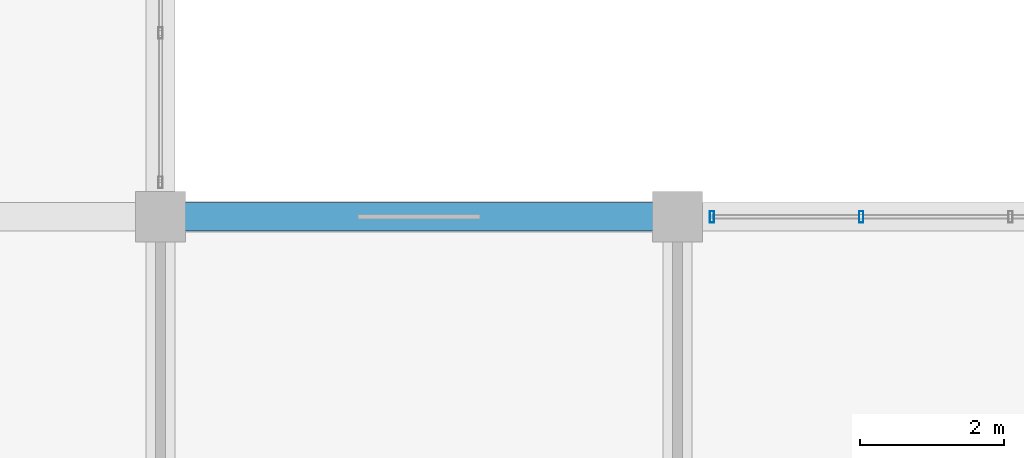
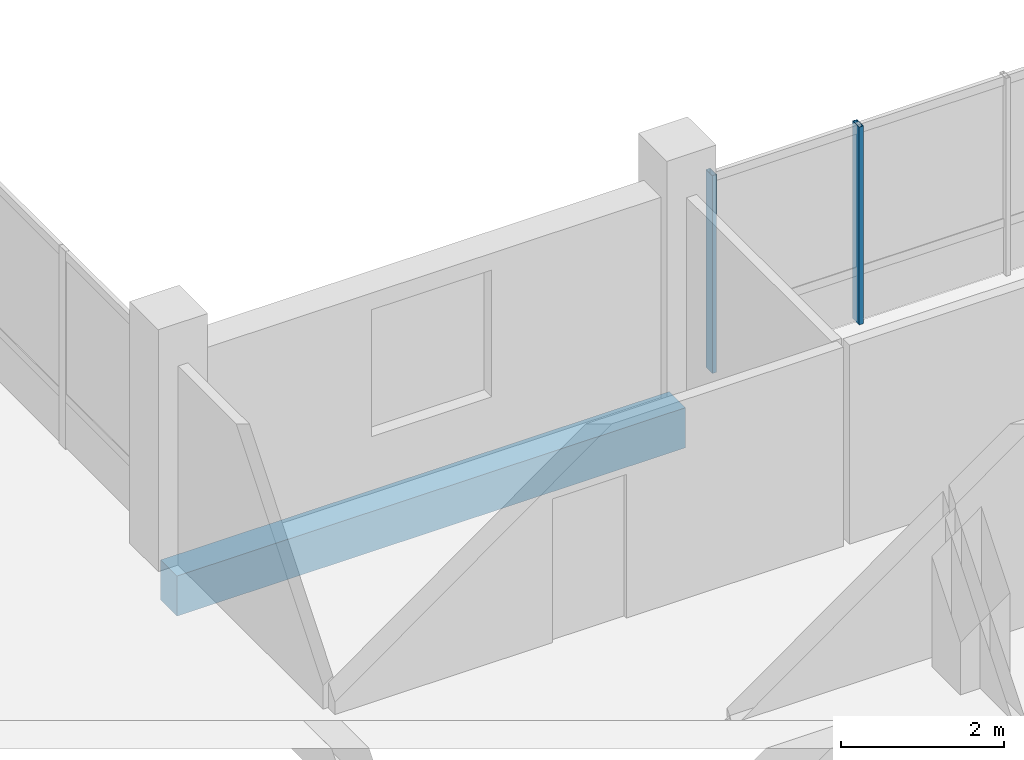
# One storey, part 14 of 128: 2 members, 1 beam, 1 element without a shape of its own.
"""IFC4 building model written with IfcOpenShell, lengths in metres."""

from ifc_helpers import new_model, si_unit, direction, frame, origin, origin_2d, place, context, subcontext, project, spatial, rectangle, hollow_rectangle, extrude, material, material_profile, profile_set, type_object, element, aggregate, save


model = new_model("IFC4")

# Units and contexts
model_context = context("Model", 3, precision=1e-05, world=origin(), true_north=direction((0.0, 1.0)))
body_context = subcontext(model_context, "Body", "Model", "MODEL_VIEW")
ifc_project = project(units=[si_unit("LENGTHUNIT", "METRE"), si_unit("AREAUNIT", "SQUARE_METRE"), si_unit("VOLUMEUNIT", "CUBIC_METRE"), si_unit("PLANEANGLEUNIT", "RADIAN"), si_unit("MASSUNIT", "GRAM", prefix="KILO")], contexts=[model_context])

# Site, building, storey
site_placement = place(None, origin())
site = spatial("IfcSite", under=ifc_project, at=site_placement, CompositionType="ELEMENT")
building_placement = place(site_placement, origin())
building = spatial("IfcBuilding", under=site, at=building_placement, Name="Zornivar Specialist Clinic", CompositionType="ELEMENT")
storey_placement = place(building_placement, frame((0.0, 0.0, 4.5)))
storey = spatial("IfcBuildingStorey", under=building, at=storey_placement, Name="L01", CompositionType="ELEMENT", Elevation=4.5)

# Beam
ifc_material_1 = material(Name="Concrete C30/37", Category="concrete")
ifc_material_profile_1 = material_profile(ifc_material_1, rectangle(XDim=0.39990234375, YDim=0.60009765625, at=origin_2d()), Name="RC 400x600")
ifc_profile_set_1 = profile_set([ifc_material_profile_1], Name="Concrete C30/37")
beam_type = type_object("IfcBeamType", Name="BM-RC-400x600", PredefinedType="BEAM", material=ifc_profile_set_1)
beam_placement = place(storey_placement, frame((14.39990234375, 14.39990234375, -0.580078125), z_axis=(1.0, 0.0, 0.0), x_axis=(0.0, 1.0, 0.0)))
element("IfcBeam", 1, at=beam_placement, inside=storey, type_object=beam_type, Name="bm:V2:L01:x:144:2", PredefinedType="BEAM", context=body_context, shape_type="SweptSolid", body=[
    extrude(rectangle(XDim=0.39990234375, YDim=0.60009765625, at=origin_2d()), origin(), (0.0, 0.0, 1.0), 7.2001953125),
])

# Curtain wall, members
ifc_material_2 = material(Name="Aluminium and Low-E Glass Curtain Wall", Category="aluminium")
curtain_wall_type = type_object("IfcCurtainWallType", Name="CW-REVAK-COURT", PredefinedType="NOTDEFINED", material=ifc_material_2)
curtain_wall_placement = place(storey_placement, origin())
curtain_wall = element("IfcCurtainWall", 2, at=curtain_wall_placement, inside=storey, type_object=curtain_wall_type, Name="cw:V2:L01:12", PredefinedType="NOTDEFINED")
ifc_material_3 = material(Name="Aluminium AW-6060", Category="aluminium")
ifc_material_profile_2 = material_profile(ifc_material_3, hollow_rectangle(XDim=0.06005859375, YDim=0.159912109375, WallThickness=0.00390625, at=origin_2d()), Name="ALU 60x160x4")
ifc_profile_set_2 = profile_set([ifc_material_profile_2], Name="Aluminium AW-6060")
member_type = type_object("IfcMemberType", Name="CWM-MUL-160", PredefinedType="MULLION", material=ifc_profile_set_2)
member_1_placement = place(storey_placement, frame((24.159912109375, 14.39990234375, 0.0), z_axis=(0.0, 0.0, 1.0), x_axis=(1.0, 0.0, 0.0)))
member_1 = element("IfcMember", 3, at=member_1_placement, type_object=member_type, Name="cw:V2:L01:12:mul:2", PredefinedType="MULLION", context=body_context, shape_type="SweptSolid", body=[
    extrude(hollow_rectangle(XDim=0.06005859375, YDim=0.159912109375, WallThickness=0.00390625, at=origin_2d()), origin(), (0.0, 0.0, 1.0), 2.9599609375),
])
member_2_placement = place(storey_placement, frame((22.080078125, 14.39990234375, 0.0), z_axis=(0.0, 0.0, 1.0), x_axis=(1.0, 0.0, 0.0)))
member_2 = element("IfcMember", 4, at=member_2_placement, type_object=member_type, Name="cw:V2:L01:12:mul:3", PredefinedType="MULLION", context=body_context, shape_type="SweptSolid", body=[
    extrude(hollow_rectangle(XDim=0.06005859375, YDim=0.159912109375, WallThickness=0.00390625, at=origin_2d()), origin(), (0.0, 0.0, 1.0), 2.9599609375),
])
aggregate(curtain_wall, [member_1, member_2])

save(model, "model.ifc")
